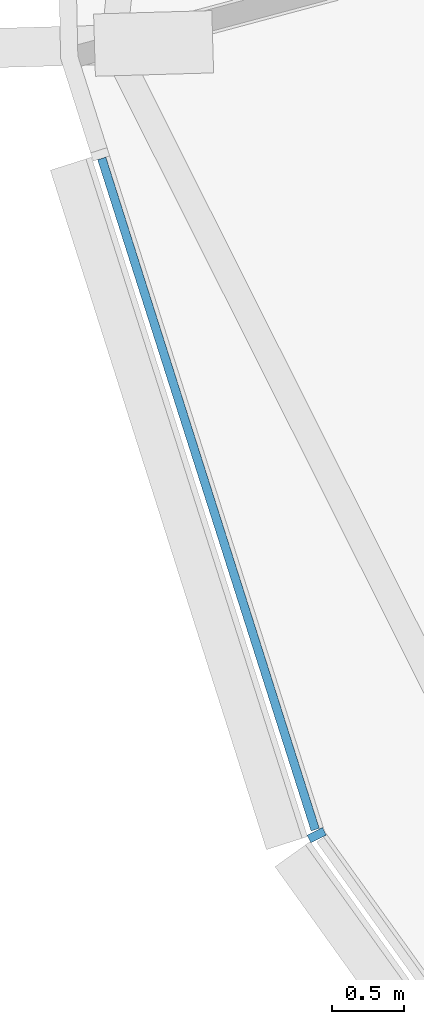
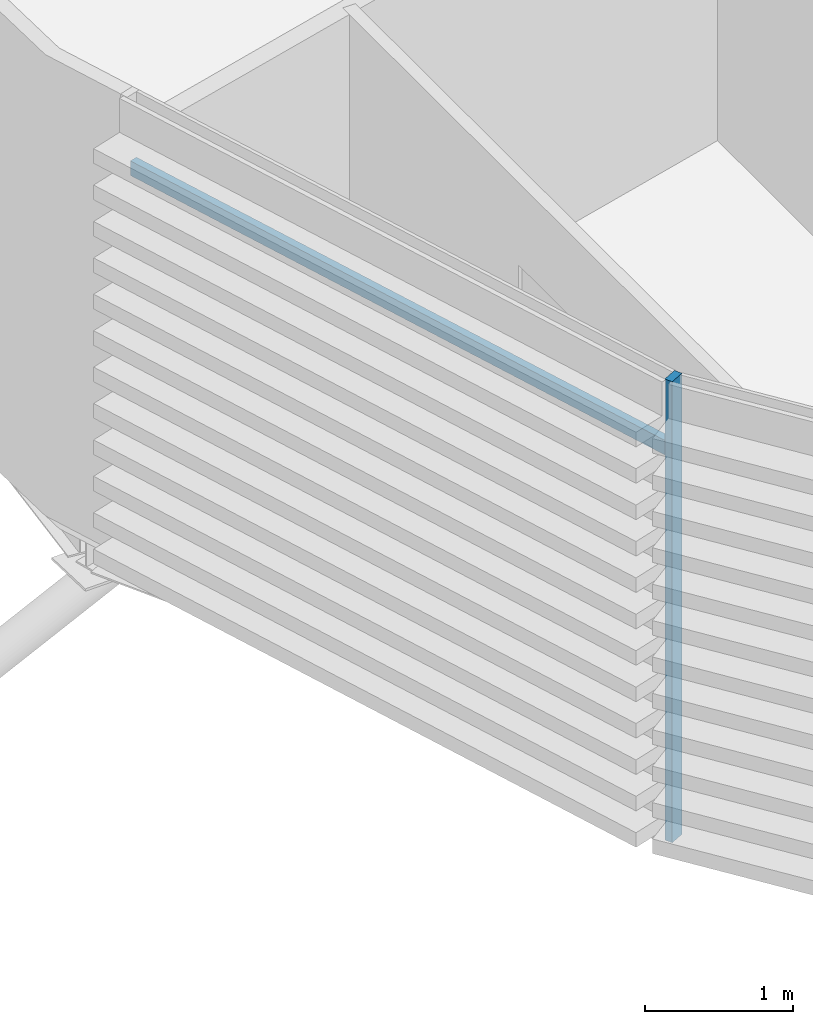
# One storey, part 7 of 36: 2 members, 1 element without a shape of its own.
"""IFC4 building model written with IfcOpenShell, lengths in metres."""

import ifcopenshell
import ifcopenshell.guid

model = None  # the IFC model being written
_history = None  # IfcOwnerHistory: only IFC2X3 demands one
_inside = {}  # id of a spatial element -> (the spatial element, [elements in it])
_under = {}  # id of a project, library or spatial element -> (it, [spatial elements below it])
_declared = {}  # id of a project -> (the project, [libraries it declares])
_typed = {}  # id of a type object -> (the type object, [elements of that type])
_made_of = {}  # id of a material, layer set ... -> (it, [elements and type objects made of it])


def new_model(schema):
    """Start an empty IFC model of exactly this schema.

    Asked for "IFC4X3", IfcOpenShell would pick the latest addendum, in which some entities
    have other attributes; the version numbers below select the first issue.
    IFC2X3 requires an IfcOwnerHistory on every rooted entity: one is made here for all.
    """
    global model, _history
    if schema == "IFC4X3":
        model = ifcopenshell.file(schema_version=(4, 3, 0, 0))
    else:
        model = ifcopenshell.file(schema=schema)
    _inside.clear()
    _under.clear()
    _declared.clear()
    _typed.clear()
    _made_of.clear()
    _history = None
    if model.schema == "IFC2X3":
        org = make("IfcOrganization", Name="unknown")
        user = make(
            "IfcPersonAndOrganization",
            ThePerson=make("IfcPerson", FamilyName="unknown"),
            TheOrganization=org,
        )
        app = make(
            "IfcApplication",
            ApplicationDeveloper=org,
            Version="unknown",
            ApplicationFullName="unknown",
            ApplicationIdentifier="unknown",
        )
        _history = make(
            "IfcOwnerHistory",
            OwningUser=user,
            OwningApplication=app,
            ChangeAction="ADDED",
            CreationDate=0,
        )
    return model


def make(cls, **values):
    """One entity of the class cls with the attributes given. An attribute that is None is left unset."""
    return model.create_entity(
        cls, **{name: value for name, value in values.items() if value is not None}
    )


def rooted(cls, **values):
    """An entity with a GlobalId (a new one), such as an element, a storey or a relation."""
    return make(cls, GlobalId=ifcopenshell.guid.new(), OwnerHistory=_history, **values)


def si_unit(unit_type, name, prefix=None):
    """IfcSIUnit, for example si_unit("LENGTHUNIT", "METRE", prefix="MILLI")."""
    return make("IfcSIUnit", UnitType=unit_type, Prefix=prefix, Name=name)


def assignment(units):
    """IfcUnitAssignment: the units of a project."""
    return None if units is None else make("IfcUnitAssignment", Units=units)


def point(xyz):
    """IfcCartesianPoint."""
    return None if xyz is None else make("IfcCartesianPoint", Coordinates=xyz)


def direction(xyz):
    """IfcDirection."""
    return None if xyz is None else make("IfcDirection", DirectionRatios=xyz)


def frame(location, z_axis=None, x_axis=None):
    """IfcAxis2Placement3D, a coordinate frame: its origin and axes. An axis left out is left unset."""
    return make(
        "IfcAxis2Placement3D",
        Location=point(location),
        Axis=direction(z_axis),
        RefDirection=direction(x_axis),
    )


def frame_2d(location, x_axis=None):
    """IfcAxis2Placement2D, a coordinate frame in the plane: its origin and x axis."""
    return make(
        "IfcAxis2Placement2D", Location=point(location), RefDirection=direction(x_axis)
    )


def origin():
    """The frame at (0, 0, 0) with its axes left unset."""
    return frame((0.0, 0.0, 0.0))


def origin_2d():
    """The frame at (0, 0) in the plane with its x axis left unset."""
    return frame_2d((0.0, 0.0))


def place(relative_to, where):
    """IfcLocalPlacement: puts the frame where relative to a parent placement (None: the world)."""
    return make(
        "IfcLocalPlacement", PlacementRelTo=relative_to, RelativePlacement=where
    )


def context(
    kind, dimensions, precision=None, world=None, true_north=None, identifier=None
):
    """IfcGeometricRepresentationContext, for example the 3D "Model" context."""
    return make(
        "IfcGeometricRepresentationContext",
        ContextIdentifier=identifier,
        ContextType=kind,
        CoordinateSpaceDimension=dimensions,
        Precision=precision,
        WorldCoordinateSystem=world,
        TrueNorth=true_north,
    )


def subcontext(parent, identifier, kind, view, scale=None):
    """IfcGeometricRepresentationSubContext, for example "Body" below "Model"."""
    return make(
        "IfcGeometricRepresentationSubContext",
        ContextIdentifier=identifier,
        ContextType=kind,
        ParentContext=parent,
        TargetScale=scale,
        TargetView=view,
    )


def project(units=None, contexts=None):
    """IfcProject with its units and contexts."""
    return rooted(
        "IfcProject",
        Name="project",
        RepresentationContexts=contexts,
        UnitsInContext=assignment(units),
    )


def spatial(cls, under=None, at=None, **own):
    """A site, building, storey or space (cls), placed at a placement, below another one or the project."""
    s = rooted(cls, ObjectPlacement=at, **own)
    if under is not None:
        _under.setdefault(under.id(), (under, []))[1].append(s)
    return s


def profile(cls, at=None, kind="AREA", **sizes):
    """A parametric profile (cls). Its sizes go by their IFC names, for example OverallWidth=200.0."""
    return make(cls, ProfileType=kind, Position=at, **sizes)


def rectangle(**sizes):
    """IfcRectangleProfileDef."""
    return profile("IfcRectangleProfileDef", **sizes)


def extrude(swept, where, along, depth):
    """IfcExtrudedAreaSolid: the profile swept, set in the frame where, extruded along a direction by depth."""
    return make(
        "IfcExtrudedAreaSolid",
        SweptArea=swept,
        Position=where,
        ExtrudedDirection=direction(along),
        Depth=depth,
    )


def shape(context_of_items, identifier, shape_type, items):
    """IfcShapeRepresentation: the items that make up one representation, for example the "Body"."""
    return make(
        "IfcShapeRepresentation",
        ContextOfItems=context_of_items,
        RepresentationIdentifier=identifier,
        RepresentationType=shape_type,
        Items=items,
    )


def material(Name=None, Category=None):
    """IfcMaterial."""
    return make("IfcMaterial", Name=Name, Category=Category)


def material_profile(
    of_material, cross_section, Name=None, Category=None, Priority=None
):
    """IfcMaterialProfile: a cross section and its material."""
    return make(
        "IfcMaterialProfile",
        Name=Name,
        Material=of_material,
        Profile=cross_section,
        Priority=Priority,
        Category=Category,
    )


def profile_set(profiles, Name=None, composite=None):
    """IfcMaterialProfileSet."""
    return make(
        "IfcMaterialProfileSet",
        Name=Name,
        MaterialProfiles=profiles,
        CompositeProfile=composite,
    )


def made_of(thing, what):
    """Note that an element or type object is made of a material, layer set ...; save() writes the relation."""
    if what is not None:
        _made_of.setdefault(what.id(), (what, []))[1].append(thing)
    return thing


def type_object(cls, material=None, **own):
    """A type object (cls), such as IfcWallType, which elements share."""
    return made_of(rooted(cls, **own), material)


def element(
    cls,
    number,
    at=None,
    inside=None,
    cuts=None,
    type_object=None,
    material=None,
    context=None,
    identifier="Body",
    shape_type=None,
    held_by="IfcProductDefinitionShape",
    body=None,
    shapes=None,
    **own,
):
    """One element of the class cls, such as IfcWall. Its Tag is "e" and its number.

    at: its placement. inside: the storey or other place that contains it. cuts: it is an
    opening in that element (IfcRelVoidsElement). A single representation is given by context,
    identifier, shape_type and body (its items); several are given by shapes. held_by: the class
    of the entity that holds the representations. save() writes the other relations.
    """
    e = rooted(cls, Tag="e%d" % number, ObjectPlacement=at, **own)
    if body is not None:
        shapes = [shape(context, identifier, shape_type, body)]
    if shapes is not None:
        e.Representation = make(held_by, Representations=shapes)
    if inside is not None:
        _inside.setdefault(inside.id(), (inside, []))[1].append(e)
    if cuts is not None:
        rooted(
            "IfcRelVoidsElement", RelatingBuildingElement=cuts, RelatedOpeningElement=e
        )
    if type_object is not None:
        _typed.setdefault(type_object.id(), (type_object, []))[1].append(e)
    return made_of(e, material)


def aggregate(whole, parts):
    """IfcRelAggregates: a whole, such as a stair, and the parts it consists of."""
    return rooted("IfcRelAggregates", RelatingObject=whole, RelatedObjects=parts)


def save(model, path):
    """Write the relations noted so far, then the file.

    IfcRelAggregates (storeys below a building ...), IfcRelContainedInSpatialStructure (elements
    in a storey), IfcRelDefinesByType, IfcRelAssociatesMaterial and IfcRelDeclares: one each for
    every whole, place, type object, material and project.
    """
    for whole, parts in _under.values():
        aggregate(whole, parts)
    for where, things in _inside.values():
        rooted(
            "IfcRelContainedInSpatialStructure",
            RelatedElements=things,
            RelatingStructure=where,
        )
    for kind, things in _typed.values():
        rooted("IfcRelDefinesByType", RelatedObjects=things, RelatingType=kind)
    for what, things in _made_of.values():
        rooted("IfcRelAssociatesMaterial", RelatedObjects=things, RelatingMaterial=what)
    for by, libraries in _declared.values():
        rooted("IfcRelDeclares", RelatingContext=by, RelatedDefinitions=libraries)
    model.write(path)


model = new_model("IFC4")

# Units and contexts
model_context = context("Model", 3, precision=1e-05, world=origin(), true_north=direction((0.0, 1.0)))
body_context = subcontext(model_context, "Body", "Model", "MODEL_VIEW")
ifc_project = project(units=[si_unit("LENGTHUNIT", "METRE"), si_unit("AREAUNIT", "SQUARE_METRE"), si_unit("VOLUMEUNIT", "CUBIC_METRE"), si_unit("PLANEANGLEUNIT", "RADIAN"), si_unit("MASSUNIT", "GRAM", prefix="KILO")], contexts=[model_context])

# Site, building, storey
site_placement = place(None, origin())
site = spatial("IfcSite", under=ifc_project, at=site_placement, CompositionType="ELEMENT")
building_placement = place(site_placement, origin())
building = spatial("IfcBuilding", under=site, at=building_placement, Name="Rimbun Link Towers", CompositionType="ELEMENT")
storey_placement = place(building_placement, frame((0.0, 0.0, 33.800048828125)))
storey = spatial("IfcBuildingStorey", under=building, at=storey_placement, Name="L07", CompositionType="ELEMENT", Elevation=33.800048828125)

# Curtain wall, members
ifc_material_1 = material(Name="Aluminium 6063-T6 and low-iron glass", Category="aluminium")
curtain_wall_type = type_object("IfcCurtainWallType", Name="CW1 unitised vision wall", PredefinedType="NOTDEFINED", material=ifc_material_1)
curtain_wall_placement = place(storey_placement, origin())
curtain_wall = element("IfcCurtainWall", 1, at=curtain_wall_placement, inside=storey, type_object=curtain_wall_type, Name="CW1 L07 T2", PredefinedType="NOTDEFINED")
ifc_material_2 = material(Name="Aluminium 6063-T6", Category="aluminium")
ifc_material_profile_1 = material_profile(ifc_material_2, rectangle(XDim=0.1201171875, YDim=0.06005859375, at=origin_2d()), Name="MULLION 60X120")
ifc_profile_set_1 = profile_set([ifc_material_profile_1], Name="Aluminium 6063-T6")
member_type_1 = type_object("IfcMemberType", Name="CW1 mullion 60X120", PredefinedType="MULLION", material=ifc_profile_set_1)
member_1_placement = place(storey_placement, frame((12.793212890625, -10.940673828125, 0.0), z_axis=(0.0, 0.0, 1.0), x_axis=(-0.893747475963, -0.448570450665, 0.0)))
member_1 = element("IfcMember", 2, at=member_1_placement, type_object=member_type_1, Name="CW1 mullion", PredefinedType="MULLION", context=body_context, shape_type="SweptSolid", body=[
    extrude(rectangle(XDim=0.1201171875, YDim=0.06005859375, at=origin_2d()), origin(), (0.0, 0.0, 1.0), 3.800048828125),
])
ifc_material_3 = material(Name="Aluminium 6063-T6", Category="aluminium")
ifc_material_profile_2 = material_profile(ifc_material_3, rectangle(XDim=0.06005859375, YDim=0.1201171875, at=origin_2d()), Name="TRANSOM 60X120")
ifc_profile_set_2 = profile_set([ifc_material_profile_2], Name="Aluminium 6063-T6")
member_type_2 = type_object("IfcMemberType", Name="CW1 transom 60X120", PredefinedType="USERDEFINED", material=ifc_profile_set_2)
member_2_placement = place(storey_placement, frame((12.782470703125, -10.902587890625, 3.199951171875), z_axis=(-0.303076025516, 0.952966380707, 0.0), x_axis=(-0.952966380707, -0.303076025516, 0.0)))
member_2 = element("IfcMember", 3, at=member_2_placement, type_object=member_type_2, Name="CW1 transom", ObjectType="TRANSOM", PredefinedType="USERDEFINED", context=body_context, shape_type="SweptSolid", body=[
    extrude(rectangle(XDim=0.06005859375, YDim=0.1201171875, at=origin_2d()), origin(), (0.0, 0.0, 1.0), 4.895263671875),
])
aggregate(curtain_wall, [member_1, member_2])

save(model, "model.ifc")
